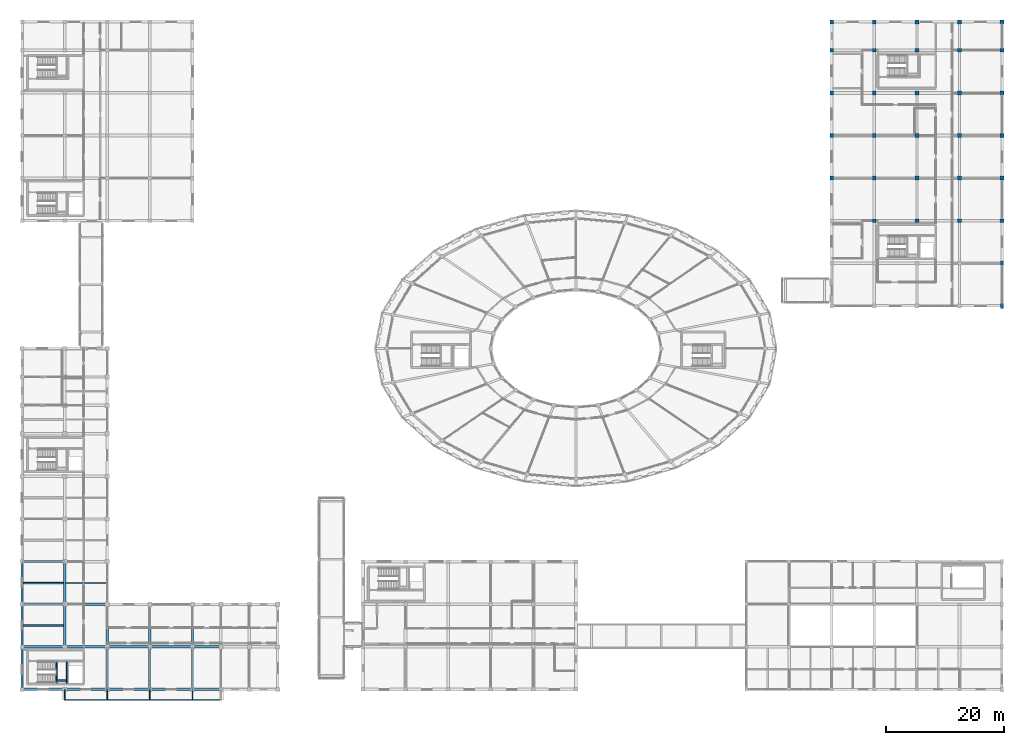
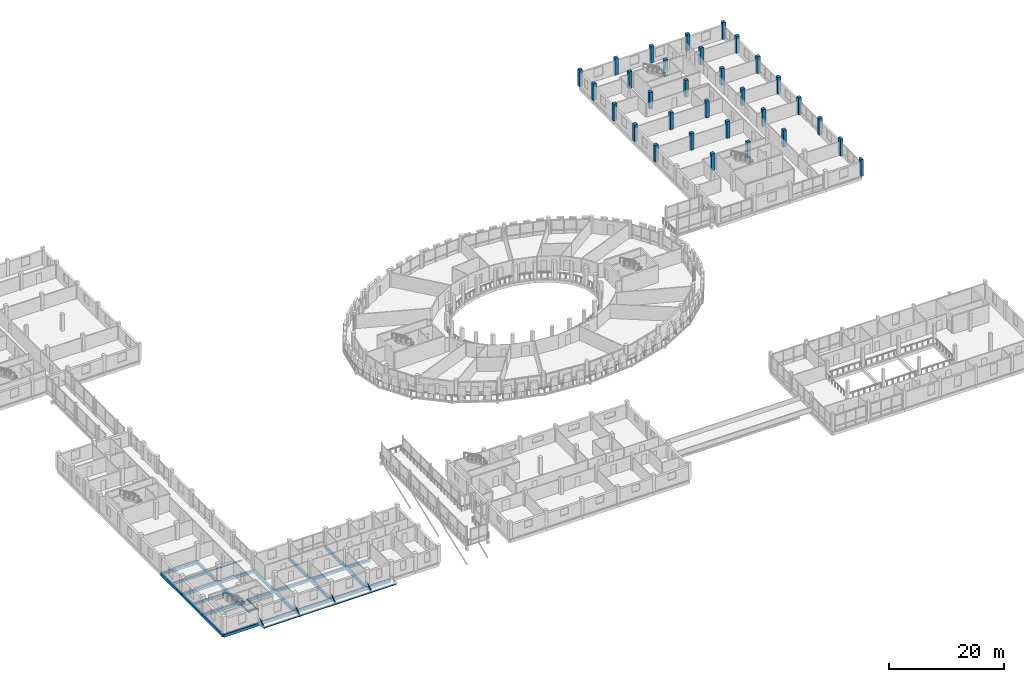
# One storey, part 10 of 128: 38 beams, 31 columns, 4 members.
"""IFC4 building model written with IfcOpenShell, lengths in metres."""

from ifc_helpers import new_model, si_unit, direction, frame, origin, origin_2d, place, context, subcontext, project, spatial, rectangle, hollow_rectangle, hollow_circle, i_section, extrude, material, material_profile, profile_set, type_object, element, save


model = new_model("IFC4")

# Units and contexts
model_context = context("Model", 3, precision=1e-05, world=origin(), true_north=direction((0.0, 1.0)))
body_context = subcontext(model_context, "Body", "Model", "MODEL_VIEW")
ifc_project = project(units=[si_unit("LENGTHUNIT", "METRE"), si_unit("AREAUNIT", "SQUARE_METRE"), si_unit("VOLUMEUNIT", "CUBIC_METRE"), si_unit("PLANEANGLEUNIT", "RADIAN"), si_unit("MASSUNIT", "GRAM", prefix="KILO")], contexts=[model_context])

# Site, building, storey
site_placement = place(None, origin())
site = spatial("IfcSite", under=ifc_project, at=site_placement, CompositionType="ELEMENT")
building_placement = place(site_placement, origin())
building = spatial("IfcBuilding", under=site, at=building_placement, Name="Zornivar Specialist Clinic", CompositionType="ELEMENT")
storey_placement = place(building_placement, frame((0.0, 0.0, 4.5)))
storey = spatial("IfcBuildingStorey", under=building, at=storey_placement, Name="L01", CompositionType="ELEMENT", Elevation=4.5)

# Columns
ifc_material_1 = material(Name="Concrete C35/45", Category="concrete")
ifc_material_profile_1 = material_profile(ifc_material_1, rectangle(XDim=0.47998046875, YDim=0.780029296875, at=origin_2d()), Name="RC 480x780")
ifc_profile_set_1 = profile_set([ifc_material_profile_1], Name="Concrete C35/45")
column_type_1 = type_object("IfcColumnType", Name="COL-RC-480x780", PredefinedType="PILASTER", material=ifc_profile_set_1)
for number, where, z_axis, x_axis, name in (
    (1, (165.60009765625, 64.800048828125, 0.0), (0.0, 0.0, 1.0), (1.0, 0.0, 0.0), "col:V6:L01:1656_648"),
    (2, (165.60009765625, 72.0, 0.0), (0.0, 0.0, 1.0), (1.0, 0.0, 0.0), "col:V6:L01:1656_720"),
):
    element("IfcColumn", number, at=place(storey_placement, frame(where, z_axis=z_axis, x_axis=x_axis)), inside=storey, type_object=column_type_1, Name=name, PredefinedType="PILASTER", context=body_context, shape_type="SweptSolid", body=[
        extrude(rectangle(XDim=0.47998046875, YDim=0.780029296875, at=origin_2d()), origin(), (0.0, 0.0, 1.0), 3.580078125),
    ])
ifc_material_2 = material(Name="Concrete C35/45", Category="concrete")
ifc_material_profile_2 = material_profile(ifc_material_2, rectangle(XDim=0.639892578125, YDim=0.639892578125, at=origin_2d()), Name="RC 640x640")
ifc_profile_set_2 = profile_set([ifc_material_profile_2], Name="Concrete C35/45")
column_type_2 = type_object("IfcColumnType", Name="COL-RC-640", PredefinedType="COLUMN", material=ifc_profile_set_2)
for number, where, z_axis, x_axis, name in (
    (3, (136.800048828125, 86.39990234375, 0.0), (0.0, 0.0, 1.0), (1.0, 0.0, 0.0), "col:V6:L01:1368_864"),
    (4, (136.800048828125, 93.60009765625, 0.0), (0.0, 0.0, 1.0), (1.0, 0.0, 0.0), "col:V6:L01:1368_936"),
    (5, (136.800048828125, 100.800048828125, 0.0), (0.0, 0.0, 1.0), (1.0, 0.0, 0.0), "col:V6:L01:1368_1008"),
    (6, (136.800048828125, 108.0, 0.0), (0.0, 0.0, 1.0), (1.0, 0.0, 0.0), "col:V6:L01:1368_1080"),
    (7, (136.800048828125, 112.800048828125, 0.0), (0.0, 0.0, 1.0), (1.0, 0.0, 0.0), "col:V6:L01:1368_1128"),
    (8, (144.0, 79.199951171875, 0.0), (0.0, 0.0, 1.0), (1.0, 0.0, 0.0), "col:V6:L01:1440_792"),
    (9, (144.0, 86.39990234375, 0.0), (0.0, 0.0, 1.0), (1.0, 0.0, 0.0), "col:V6:L01:1440_864"),
    (10, (144.0, 93.60009765625, 0.0), (0.0, 0.0, 1.0), (1.0, 0.0, 0.0), "col:V6:L01:1440_936"),
    (11, (144.0, 100.800048828125, 0.0), (0.0, 0.0, 1.0), (1.0, 0.0, 0.0), "col:V6:L01:1440_1008"),
    (12, (144.0, 108.0, 0.0), (0.0, 0.0, 1.0), (1.0, 0.0, 0.0), "col:V6:L01:1440_1080"),
    (13, (144.0, 112.800048828125, 0.0), (0.0, 0.0, 1.0), (1.0, 0.0, 0.0), "col:V6:L01:1440_1128"),
    (14, (151.199951171875, 79.199951171875, 0.0), (0.0, 0.0, 1.0), (1.0, 0.0, 0.0), "col:V6:L01:1512_792"),
    (15, (151.199951171875, 86.39990234375, 0.0), (0.0, 0.0, 1.0), (1.0, 0.0, 0.0), "col:V6:L01:1512_864"),
    (16, (151.199951171875, 93.60009765625, 0.0), (0.0, 0.0, 1.0), (1.0, 0.0, 0.0), "col:V6:L01:1512_936"),
    (17, (151.199951171875, 100.800048828125, 0.0), (0.0, 0.0, 1.0), (1.0, 0.0, 0.0), "col:V6:L01:1512_1008"),
    (18, (151.199951171875, 108.0, 0.0), (0.0, 0.0, 1.0), (1.0, 0.0, 0.0), "col:V6:L01:1512_1080"),
    (19, (151.199951171875, 112.800048828125, 0.0), (0.0, 0.0, 1.0), (1.0, 0.0, 0.0), "col:V6:L01:1512_1128"),
    (20, (158.39990234375, 79.199951171875, 0.0), (0.0, 0.0, 1.0), (1.0, 0.0, 0.0), "col:V6:L01:1584_792"),
    (21, (158.39990234375, 86.39990234375, 0.0), (0.0, 0.0, 1.0), (1.0, 0.0, 0.0), "col:V6:L01:1584_864"),
    (22, (158.39990234375, 93.60009765625, 0.0), (0.0, 0.0, 1.0), (1.0, 0.0, 0.0), "col:V6:L01:1584_936"),
    (23, (158.39990234375, 100.800048828125, 0.0), (0.0, 0.0, 1.0), (1.0, 0.0, 0.0), "col:V6:L01:1584_1008"),
    (24, (158.39990234375, 108.0, 0.0), (0.0, 0.0, 1.0), (1.0, 0.0, 0.0), "col:V6:L01:1584_1080"),
    (25, (158.39990234375, 112.800048828125, 0.0), (0.0, 0.0, 1.0), (1.0, 0.0, 0.0), "col:V6:L01:1584_1128"),
    (26, (165.60009765625, 79.199951171875, 0.0), (0.0, 0.0, 1.0), (1.0, 0.0, 0.0), "col:V6:L01:1656_792"),
    (27, (165.60009765625, 86.39990234375, 0.0), (0.0, 0.0, 1.0), (1.0, 0.0, 0.0), "col:V6:L01:1656_864"),
    (28, (165.60009765625, 93.60009765625, 0.0), (0.0, 0.0, 1.0), (1.0, 0.0, 0.0), "col:V6:L01:1656_936"),
    (29, (165.60009765625, 100.800048828125, 0.0), (0.0, 0.0, 1.0), (1.0, 0.0, 0.0), "col:V6:L01:1656_1008"),
    (30, (165.60009765625, 108.0, 0.0), (0.0, 0.0, 1.0), (1.0, 0.0, 0.0), "col:V6:L01:1656_1080"),
    (31, (165.60009765625, 112.800048828125, 0.0), (0.0, 0.0, 1.0), (1.0, 0.0, 0.0), "col:V6:L01:1656_1128"),
):
    element("IfcColumn", number, at=place(storey_placement, frame(where, z_axis=z_axis, x_axis=x_axis)), inside=storey, type_object=column_type_2, Name=name, PredefinedType="COLUMN", context=body_context, shape_type="SweptSolid", body=[
        extrude(rectangle(XDim=0.639892578125, YDim=0.639892578125, at=origin_2d()), origin(), (0.0, 0.0, 1.0), 3.580078125),
    ])

# Beams
ifc_material_3 = material(Name="Concrete C30/37", Category="concrete")
ifc_material_profile_3 = material_profile(ifc_material_3, rectangle(XDim=0.25, YDim=0.300048828125, at=origin_2d()), Name="RC 250x300")
ifc_profile_set_3 = profile_set([ifc_material_profile_3], Name="Concrete C30/37")
beam_type_1 = type_object("IfcBeamType", Name="BM-LAND-250x300", PredefinedType="BEAM", material=ifc_profile_set_3)
for number, where, z_axis, x_axis, name in (
    (32, (5.800048828125, 1.0400390625, 1.6201171875), (0.0, 1.0, 0.0), (-1.0, 0.0, 0.0), "bm:stair:C1:L01:lW"),
    (33, (7.56005859375, 1.0400390625, 1.6201171875), (0.0, 1.0, 0.0), (-1.0, 0.0, 0.0), "bm:stair:C1:L01:lE"),
):
    element("IfcBeam", number, at=place(storey_placement, frame(where, z_axis=z_axis, x_axis=x_axis)), inside=storey, type_object=beam_type_1, Name=name, PredefinedType="BEAM", context=body_context, shape_type="SweptSolid", body=[
        extrude(rectangle(XDim=0.25, YDim=0.300048828125, at=origin_2d()), origin(), (0.0, 0.0, 1.0), 3.659912109375),
    ])
beam_1_placement = place(storey_placement, frame((5.93505859375, 1.47998046875, 1.6201171875), z_axis=(1.0, 0.0, 0.0), x_axis=(0.0, 1.0, 0.0)))
element("IfcBeam", 34, at=beam_1_placement, inside=storey, type_object=beam_type_1, Name="bm:stair:C1:L01:lS", PredefinedType="BEAM", context=body_context, shape_type="SweptSolid", body=[
    extrude(rectangle(XDim=0.25, YDim=0.300048828125, at=origin_2d()), origin(), (0.0, 0.0, 1.0), 1.489990234375),
])
ifc_material_4 = material(Name="Concrete C30/37", Category="concrete")
ifc_material_profile_4 = material_profile(ifc_material_4, rectangle(XDim=0.39990234375, YDim=0.60009765625, at=origin_2d()), Name="RC 400x600")
ifc_profile_set_4 = profile_set([ifc_material_profile_4], Name="Concrete C30/37")
beam_type_2 = type_object("IfcBeamType", Name="BM-RC-400x600", PredefinedType="BEAM", material=ifc_profile_set_4)
for number, where, z_axis, x_axis, name in (
    (35, (0.0, 7.199951171875, -0.580078125), (1.0, 0.0, 0.0), (0.0, 1.0, 0.0), "bm:V2:L01:x:72:0"),
    (36, (7.199951171875, 7.199951171875, -0.580078125), (1.0, 0.0, 0.0), (0.0, 1.0, 0.0), "bm:V2:L01:x:72:1"),
):
    element("IfcBeam", number, at=place(storey_placement, frame(where, z_axis=z_axis, x_axis=x_axis)), inside=storey, type_object=beam_type_2, Name=name, PredefinedType="BEAM", context=body_context, shape_type="SweptSolid", body=[
        extrude(rectangle(XDim=0.39990234375, YDim=0.60009765625, at=origin_2d()), origin(), (0.0, 0.0, 1.0), 7.199951171875),
    ])
beam_2_placement = place(storey_placement, frame((14.39990234375, 7.199951171875, -0.580078125), z_axis=(1.0, 0.0, 0.0), x_axis=(0.0, 1.0, 0.0)))
element("IfcBeam", 37, at=beam_2_placement, inside=storey, type_object=beam_type_2, Name="bm:V2:L01:x:72:2", PredefinedType="BEAM", context=body_context, shape_type="SweptSolid", body=[
    extrude(rectangle(XDim=0.39990234375, YDim=0.60009765625, at=origin_2d()), origin(), (0.0, 0.0, 1.0), 7.2001953125),
])
beam_3_placement = place(storey_placement, frame((21.60009765625, 7.199951171875, -0.580078125), z_axis=(1.0, 0.0, 0.0), x_axis=(0.0, 1.0, 0.0)))
element("IfcBeam", 38, at=beam_3_placement, inside=storey, type_object=beam_type_2, Name="bm:V2:L01:x:72:3", PredefinedType="BEAM", context=body_context, shape_type="SweptSolid", body=[
    extrude(rectangle(XDim=0.39990234375, YDim=0.60009765625, at=origin_2d()), origin(), (0.0, 0.0, 1.0), 7.199951171875),
])
beam_4_placement = place(storey_placement, frame((28.800048828125, 7.199951171875, -0.580078125), z_axis=(1.0, 0.0, 0.0), x_axis=(0.0, 1.0, 0.0)))
element("IfcBeam", 39, at=beam_4_placement, inside=storey, type_object=beam_type_2, Name="bm:V2:L01:x:72:4", PredefinedType="BEAM", context=body_context, shape_type="SweptSolid", body=[
    extrude(rectangle(XDim=0.39990234375, YDim=0.60009765625, at=origin_2d()), origin(), (0.0, 0.0, 1.0), 4.800048828125),
])
for number, where, z_axis, x_axis, name in (
    (40, (0.0, 14.39990234375, -0.580078125), (1.0, 0.0, 0.0), (0.0, 1.0, 0.0), "bm:V2:L01:x:144:0"),
    (41, (7.199951171875, 14.39990234375, -0.580078125), (1.0, 0.0, 0.0), (0.0, 1.0, 0.0), "bm:V2:L01:x:144:1"),
    (42, (0.0, 21.60009765625, -0.580078125), (1.0, 0.0, 0.0), (0.0, 1.0, 0.0), "bm:V2:L01:x:216:0"),
    (43, (7.199951171875, 7.199951171875, -0.580078125), (0.0, 1.0, 0.0), (-1.0, 0.0, 0.0), "bm:V2:L01:y:72:1"),
):
    element("IfcBeam", number, at=place(storey_placement, frame(where, z_axis=z_axis, x_axis=x_axis)), inside=storey, type_object=beam_type_2, Name=name, PredefinedType="BEAM", context=body_context, shape_type="SweptSolid", body=[
        extrude(rectangle(XDim=0.39990234375, YDim=0.60009765625, at=origin_2d()), origin(), (0.0, 0.0, 1.0), 7.199951171875),
    ])
beam_5_placement = place(storey_placement, frame((7.199951171875, 14.39990234375, -0.580078125), z_axis=(0.0, 1.0, 0.0), x_axis=(-1.0, 0.0, 0.0)))
element("IfcBeam", 44, at=beam_5_placement, inside=storey, type_object=beam_type_2, Name="bm:V2:L01:y:72:2", PredefinedType="BEAM", context=body_context, shape_type="SweptSolid", body=[
    extrude(rectangle(XDim=0.39990234375, YDim=0.60009765625, at=origin_2d()), origin(), (0.0, 0.0, 1.0), 7.2001953125),
])
for number, where, z_axis, x_axis, name in (
    (45, (14.39990234375, 0.0, -0.580078125), (0.0, 1.0, 0.0), (-1.0, 0.0, 0.0), "bm:V2:L01:y:144:0"),
    (46, (14.39990234375, 7.199951171875, -0.580078125), (0.0, 1.0, 0.0), (-1.0, 0.0, 0.0), "bm:V2:L01:y:144:1"),
    (47, (21.60009765625, 0.0, -0.580078125), (0.0, 1.0, 0.0), (-1.0, 0.0, 0.0), "bm:V2:L01:y:216:0"),
    (48, (21.60009765625, 7.199951171875, -0.580078125), (0.0, 1.0, 0.0), (-1.0, 0.0, 0.0), "bm:V2:L01:y:216:1"),
    (49, (28.800048828125, 0.0, -0.580078125), (0.0, 1.0, 0.0), (-1.0, 0.0, 0.0), "bm:V2:L01:y:288:0"),
    (50, (28.800048828125, 7.199951171875, -0.580078125), (0.0, 1.0, 0.0), (-1.0, 0.0, 0.0), "bm:V2:L01:y:288:1"),
):
    element("IfcBeam", number, at=place(storey_placement, frame(where, z_axis=z_axis, x_axis=x_axis)), inside=storey, type_object=beam_type_2, Name=name, PredefinedType="BEAM", context=body_context, shape_type="SweptSolid", body=[
        extrude(rectangle(XDim=0.39990234375, YDim=0.60009765625, at=origin_2d()), origin(), (0.0, 0.0, 1.0), 7.199951171875),
    ])
ifc_material_5 = material(Name="Concrete C30/37", Category="concrete")
ifc_material_profile_5 = material_profile(ifc_material_5, rectangle(XDim=0.389892578125, YDim=0.60009765625, at=origin_2d()), Name="RC 390x600")
ifc_profile_set_5 = profile_set([ifc_material_profile_5], Name="Concrete C30/37")
beam_type_3 = type_object("IfcBeamType", Name="BM-RC-SPANDREL-390x600", PredefinedType="SPANDREL", material=ifc_profile_set_5)
for number, where, z_axis, x_axis, name in (
    (51, (0.0, 0.0, -0.580078125), (1.0, 0.0, 0.0), (0.0, 1.0, 0.0), "bm:V2:L01:x:0:0"),
    (52, (7.199951171875, 0.0, -0.580078125), (1.0, 0.0, 0.0), (0.0, 1.0, 0.0), "bm:V2:L01:x:0:1"),
):
    element("IfcBeam", number, at=place(storey_placement, frame(where, z_axis=z_axis, x_axis=x_axis)), inside=storey, type_object=beam_type_3, Name=name, PredefinedType="SPANDREL", context=body_context, shape_type="SweptSolid", body=[
        extrude(rectangle(XDim=0.389892578125, YDim=0.60009765625, at=origin_2d()), origin(), (0.0, 0.0, 1.0), 7.199951171875),
    ])
beam_6_placement = place(storey_placement, frame((14.39990234375, 0.0, -0.580078125), z_axis=(1.0, 0.0, 0.0), x_axis=(0.0, 1.0, 0.0)))
element("IfcBeam", 53, at=beam_6_placement, inside=storey, type_object=beam_type_3, Name="bm:V2:L01:x:0:2", PredefinedType="SPANDREL", context=body_context, shape_type="SweptSolid", body=[
    extrude(rectangle(XDim=0.389892578125, YDim=0.60009765625, at=origin_2d()), origin(), (0.0, 0.0, 1.0), 7.2001953125),
])
beam_7_placement = place(storey_placement, frame((21.60009765625, 0.0, -0.580078125), z_axis=(1.0, 0.0, 0.0), x_axis=(0.0, 1.0, 0.0)))
element("IfcBeam", 54, at=beam_7_placement, inside=storey, type_object=beam_type_3, Name="bm:V2:L01:x:0:3", PredefinedType="SPANDREL", context=body_context, shape_type="SweptSolid", body=[
    extrude(rectangle(XDim=0.389892578125, YDim=0.60009765625, at=origin_2d()), origin(), (0.0, 0.0, 1.0), 7.199951171875),
])
beam_8_placement = place(storey_placement, frame((28.800048828125, 0.0, -0.580078125), z_axis=(1.0, 0.0, 0.0), x_axis=(0.0, 1.0, 0.0)))
element("IfcBeam", 55, at=beam_8_placement, inside=storey, type_object=beam_type_3, Name="bm:V2:L01:x:0:4", PredefinedType="SPANDREL", context=body_context, shape_type="SweptSolid", body=[
    extrude(rectangle(XDim=0.389892578125, YDim=0.60009765625, at=origin_2d()), origin(), (0.0, 0.0, 1.0), 4.800048828125),
])
for number, where, z_axis, x_axis, name in (
    (56, (0.0, 0.0, -0.580078125), (0.0, 1.0, 0.0), (-1.0, 0.0, 0.0), "bm:V2:L01:y:0:0"),
    (57, (0.0, 7.199951171875, -0.580078125), (0.0, 1.0, 0.0), (-1.0, 0.0, 0.0), "bm:V2:L01:y:0:1"),
):
    element("IfcBeam", number, at=place(storey_placement, frame(where, z_axis=z_axis, x_axis=x_axis)), inside=storey, type_object=beam_type_3, Name=name, PredefinedType="SPANDREL", context=body_context, shape_type="SweptSolid", body=[
        extrude(rectangle(XDim=0.389892578125, YDim=0.60009765625, at=origin_2d()), origin(), (0.0, 0.0, 1.0), 7.199951171875),
    ])
beam_9_placement = place(storey_placement, frame((0.0, 14.39990234375, -0.580078125), z_axis=(0.0, 1.0, 0.0), x_axis=(-1.0, 0.0, 0.0)))
element("IfcBeam", 58, at=beam_9_placement, inside=storey, type_object=beam_type_3, Name="bm:V2:L01:y:0:2", PredefinedType="SPANDREL", context=body_context, shape_type="SweptSolid", body=[
    extrude(rectangle(XDim=0.389892578125, YDim=0.60009765625, at=origin_2d()), origin(), (0.0, 0.0, 1.0), 7.2001953125),
])
ifc_material_6 = material(Name="Concrete C30/37", Category="concrete")
ifc_material_profile_6 = material_profile(ifc_material_6, rectangle(XDim=0.300048828125, YDim=0.5, at=origin_2d()), Name="RC 300x500")
ifc_profile_set_6 = profile_set([ifc_material_profile_6], Name="Concrete C30/37")
beam_type_4 = type_object("IfcBeamType", Name="BM-RC-TRIM-300x500", PredefinedType="BEAM", material=ifc_profile_set_6)
for number, where, z_axis, x_axis, name in (
    (59, (0.195068359375, 10.800048828125, -0.530029296875), (1.0, 0.0, 0.0), (0.0, 1.0, 0.0), "bm:trim:V2:L01:0"),
    (60, (0.195068359375, 18.0, -0.530029296875), (1.0, 0.0, 0.0), (0.0, 1.0, 0.0), "bm:trim:V2:L01:1"),
):
    element("IfcBeam", number, at=place(storey_placement, frame(where, z_axis=z_axis, x_axis=x_axis)), inside=storey, type_object=beam_type_4, Name=name, PredefinedType="BEAM", context=body_context, shape_type="SweptSolid", body=[
        extrude(rectangle(XDim=0.300048828125, YDim=0.5, at=origin_2d()), origin(), (0.0, 0.0, 1.0), 6.804931640625),
    ])
ifc_material_7 = material(Name="Steel S355J2", Category="steel")
ifc_material_profile_7 = material_profile(ifc_material_7, i_section(OverallWidth=0.135009765625, OverallDepth=0.27001953125, WebThickness=0.006591796875, FlangeThickness=0.01025390625, FilletRadius=0.014892578125, at=origin_2d()), Name="IPE 270")
ifc_profile_set_7 = profile_set([ifc_material_profile_7], Name="Steel S355J2")
beam_type_5 = type_object("IfcBeamType", Name="BM-STL-IPE270", PredefinedType="JOIST", material=ifc_profile_set_7)
beam_10_placement = place(storey_placement, frame((7.39990234375, 18.0, -0.4150390625), z_axis=(1.0, 0.0, 0.0), x_axis=(0.0, 1.0, 0.0)))
element("IfcBeam", 61, at=beam_10_placement, inside=storey, type_object=beam_type_5, Name="bm:V2:L01:joist:0", PredefinedType="JOIST", context=body_context, shape_type="SweptSolid", body=[
    extrude(i_section(OverallWidth=0.135009765625, OverallDepth=0.27001953125, WebThickness=0.006591796875, FlangeThickness=0.01025390625, FilletRadius=0.014892578125, at=origin_2d()), origin(), (0.0, 0.0, 1.0), 6.800048828125),
])
ifc_material_8 = material(Name="Steel S355J2", Category="steel")
ifc_material_profile_8 = material_profile(ifc_material_8, i_section(OverallWidth=0.14990234375, OverallDepth=0.300048828125, WebThickness=0.007080078125, FlangeThickness=0.0107421875, FilletRadius=0.014892578125, at=origin_2d()), Name="IPE 300")
ifc_profile_set_8 = profile_set([ifc_material_profile_8], Name="Steel S355J2")
beam_type_6 = type_object("IfcBeamType", Name="BM-STL-IPE300", PredefinedType="JOIST", material=ifc_profile_set_8)
for number, where, z_axis, x_axis, name in (
    (62, (7.199951171875, 0.0, -0.429931640625), (0.0, -1.0, 0.0), (1.0, 0.0, 0.0), "bm:CAN:L01:cant:72"),
    (63, (14.39990234375, 0.0, -0.429931640625), (0.0, -1.0, 0.0), (1.0, 0.0, 0.0), "bm:CAN:L01:cant:144"),
    (64, (21.60009765625, 0.0, -0.429931640625), (0.0, -1.0, 0.0), (1.0, 0.0, 0.0), "bm:CAN:L01:cant:216"),
    (65, (28.800048828125, 0.0, -0.429931640625), (0.0, -1.0, 0.0), (1.0, 0.0, 0.0), "bm:CAN:L01:cant:288"),
):
    element("IfcBeam", number, at=place(storey_placement, frame(where, z_axis=z_axis, x_axis=x_axis)), inside=storey, type_object=beam_type_6, Name=name, PredefinedType="JOIST", context=body_context, shape_type="SweptSolid", body=[
        extrude(i_section(OverallWidth=0.14990234375, OverallDepth=0.300048828125, WebThickness=0.007080078125, FlangeThickness=0.0107421875, FilletRadius=0.014892578125, at=origin_2d()), origin(), (0.0, 0.0, 1.0), 1.800048828125),
    ])
ifc_material_9 = material(Name="Steel S355J2", Category="steel")
ifc_material_profile_9 = material_profile(ifc_material_9, hollow_rectangle(XDim=0.10009765625, YDim=0.199951171875, WallThickness=0.010009765625, at=origin_2d()), Name="RHS 200x100x10")
ifc_profile_set_9 = profile_set([ifc_material_profile_9], Name="Steel S355J2")
beam_type_7 = type_object("IfcBeamType", Name="BM-STL-LINTEL-RHS200", PredefinedType="LINTEL", material=ifc_profile_set_9)
beam_11_placement = place(storey_placement, frame((7.199951171875, -1.75, -0.3798828125), z_axis=(1.0, 0.0, 0.0), x_axis=(0.0, 1.0, 0.0)))
element("IfcBeam", 66, at=beam_11_placement, inside=storey, type_object=beam_type_7, Name="bm:CAN:L01:edge:0", PredefinedType="LINTEL", context=body_context, shape_type="SweptSolid", body=[
    extrude(hollow_rectangle(XDim=0.10009765625, YDim=0.199951171875, WallThickness=0.010009765625, at=origin_2d()), origin(), (0.0, 0.0, 1.0), 7.199951171875),
])
beam_12_placement = place(storey_placement, frame((14.39990234375, -1.75, -0.3798828125), z_axis=(1.0, 0.0, 0.0), x_axis=(0.0, 1.0, 0.0)))
element("IfcBeam", 67, at=beam_12_placement, inside=storey, type_object=beam_type_7, Name="bm:CAN:L01:edge:1", PredefinedType="LINTEL", context=body_context, shape_type="SweptSolid", body=[
    extrude(hollow_rectangle(XDim=0.10009765625, YDim=0.199951171875, WallThickness=0.010009765625, at=origin_2d()), origin(), (0.0, 0.0, 1.0), 7.2001953125),
])
beam_13_placement = place(storey_placement, frame((21.60009765625, -1.75, -0.3798828125), z_axis=(1.0, 0.0, 0.0), x_axis=(0.0, 1.0, 0.0)))
element("IfcBeam", 68, at=beam_13_placement, inside=storey, type_object=beam_type_7, Name="bm:CAN:L01:edge:2", PredefinedType="LINTEL", context=body_context, shape_type="SweptSolid", body=[
    extrude(hollow_rectangle(XDim=0.10009765625, YDim=0.199951171875, WallThickness=0.010009765625, at=origin_2d()), origin(), (0.0, 0.0, 1.0), 7.199951171875),
])
beam_14_placement = place(storey_placement, frame((28.800048828125, -1.75, -0.3798828125), z_axis=(1.0, 0.0, 0.0), x_axis=(0.0, 1.0, 0.0)))
element("IfcBeam", 69, at=beam_14_placement, inside=storey, type_object=beam_type_7, Name="bm:CAN:L01:edge:3", PredefinedType="LINTEL", context=body_context, shape_type="SweptSolid", body=[
    extrude(hollow_rectangle(XDim=0.10009765625, YDim=0.199951171875, WallThickness=0.010009765625, at=origin_2d()), origin(), (0.0, 0.0, 1.0), 4.800048828125),
])

# Members
ifc_material_10 = material(Name="Steel S355J2", Category="steel")
ifc_material_profile_10 = material_profile(ifc_material_10, hollow_circle(Radius=0.06982421875, WallThickness=0.008056640625, at=origin_2d()), Name="CHS 139.7x8")
ifc_profile_set_10 = profile_set([ifc_material_profile_10], Name="Steel S355J2")
member_type = type_object("IfcMemberType", Name="MEM-CANOPY-TIE", PredefinedType="USERDEFINED", material=ifc_profile_set_10)
for number, where, z_axis, x_axis, name in (
    (70, (7.199951171875, 0.0, 0.75), (0.0, -0.829138215282, -0.559043665521), (1.0, 0.0, 0.0), "mem:CAN:L01:tie:72"),
    (71, (14.39990234375, 0.0, 0.75), (0.0, -0.829138215282, -0.559043665521), (1.0, 0.0, 0.0), "mem:CAN:L01:tie:144"),
    (72, (21.60009765625, 0.0, 0.75), (0.0, -0.829138215282, -0.559043665521), (1.0, 0.0, 0.0), "mem:CAN:L01:tie:216"),
    (73, (28.800048828125, 0.0, 0.75), (0.0, -0.829138215282, -0.559043665521), (1.0, 0.0, 0.0), "mem:CAN:L01:tie:288"),
):
    element("IfcMember", number, at=place(storey_placement, frame(where, z_axis=z_axis, x_axis=x_axis)), inside=storey, type_object=member_type, Name=name, ObjectType="TIE ROD", PredefinedType="USERDEFINED", context=body_context, shape_type="SweptSolid", body=[
        extrude(hollow_circle(Radius=0.06982421875, WallThickness=0.008056640625, at=origin_2d()), origin(), (0.0, 0.0, 1.0), 2.110595703125),
    ])

save(model, "model.ifc")
